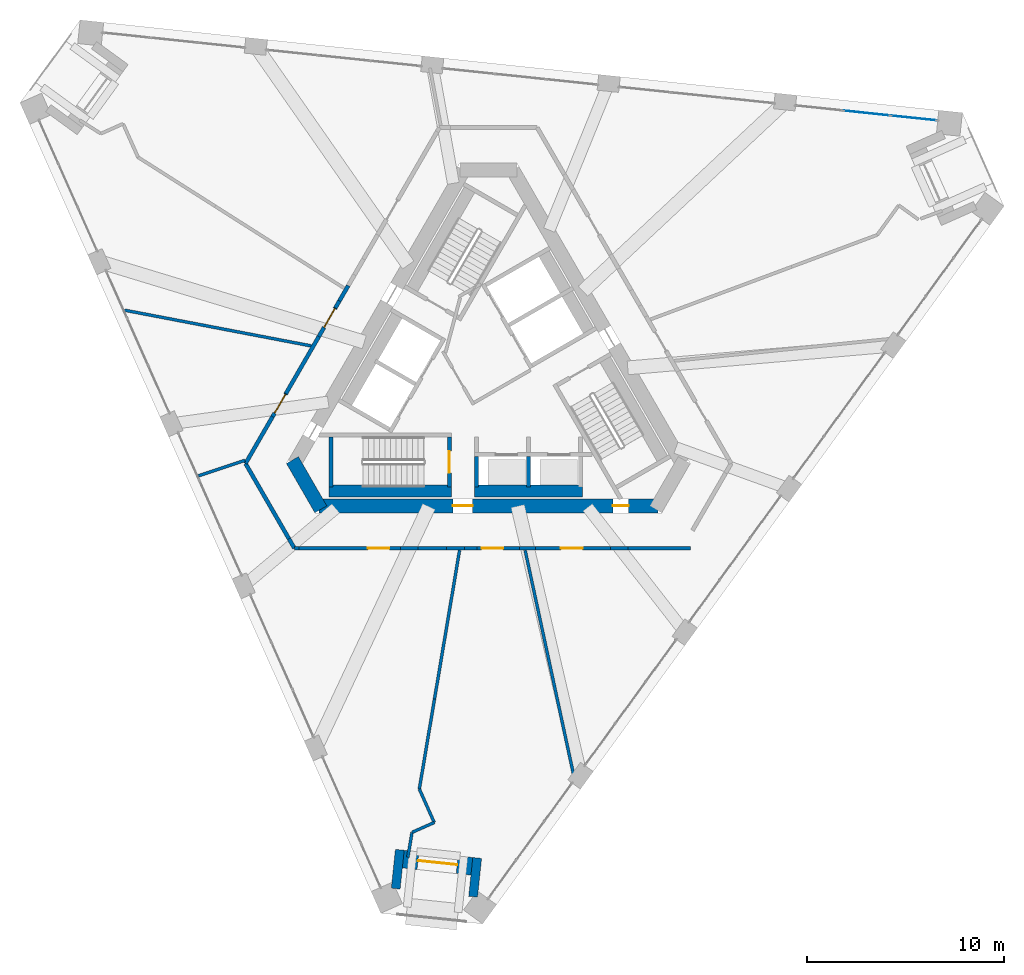
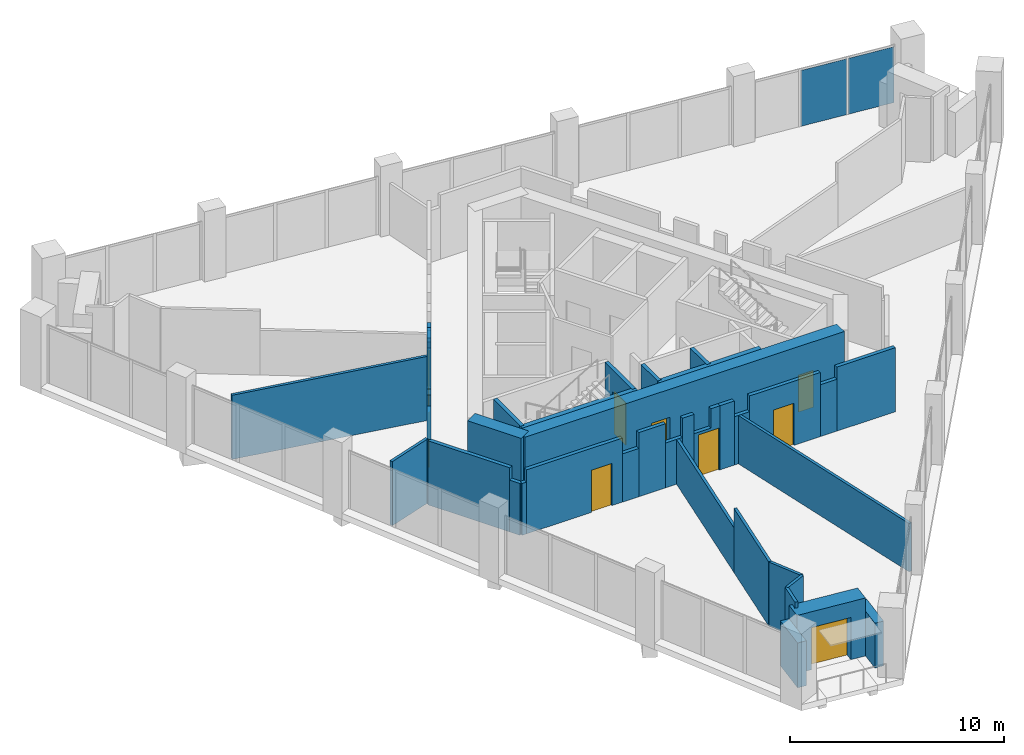
# One storey, part 8 of 15: 39 walls, 9 doors, 2 plates, 9 openings, 1 element without a shape of its own.
"""IFC4 building model written with IfcOpenShell, lengths in metres."""

from ifc_helpers import new_model, si_unit, direction, frame, frame_2d, origin, origin_2d, place, context, subcontext, project, spatial, polyline, rectangle, outline, extrude, material, layer, layer_set, type_object, element, fill, aggregate, save


model = new_model("IFC4")

# Units and contexts
model_context = context("Model", 3, precision=1e-05, world=origin(), true_north=direction((0.0, 1.0)))
body_context = subcontext(model_context, "Body", "Model", "MODEL_VIEW")
ifc_project = project(units=[si_unit("LENGTHUNIT", "METRE"), si_unit("AREAUNIT", "SQUARE_METRE"), si_unit("VOLUMEUNIT", "CUBIC_METRE"), si_unit("PLANEANGLEUNIT", "RADIAN"), si_unit("MASSUNIT", "GRAM", prefix="KILO")], contexts=[model_context])

# Site, building, storey
site_placement = place(None, origin())
site = spatial("IfcSite", under=ifc_project, at=site_placement, CompositionType="ELEMENT")
building_placement = place(site_placement, origin())
building = spatial("IfcBuilding", under=site, at=building_placement, Name="Tramontana Tower", CompositionType="ELEMENT")
storey_placement = place(building_placement, frame((0.0, 0.0, 237.199951171875)))
storey = spatial("IfcBuildingStorey", under=building, at=storey_placement, Name="L55", CompositionType="ELEMENT", Elevation=237.199951171875)

# Curtain wall, plates
ifc_material_1 = material(Name="Aluminum extrusion", Category="aluminium")
ifc_layer_1 = layer(ifc_material_1, 0.14990234375)
ifc_layer_set_1 = layer_set([ifc_layer_1], Name="CW4 Sky lobby 2 curtain wall")
curtain_wall_type = type_object("IfcCurtainWallType", Name="CW4 Sky lobby 2 curtain wall", PredefinedType="NOTDEFINED", material=ifc_layer_set_1)
curtain_wall_placement = place(storey_placement, origin())
curtain_wall = element("IfcCurtainWall", 1, at=curtain_wall_placement, inside=storey, type_object=curtain_wall_type, Name="CW4 curtain wall L55 face 2 bay 1", PredefinedType="NOTDEFINED")
ifc_material_2 = material(Name="Low-iron double glazing unit", Category="glass")
ifc_layer_2 = layer(ifc_material_2, 0.030029296875)
ifc_layer_set_2 = layer_set([ifc_layer_2], Name="CW4-P Glazing panel 30")
plate_type = type_object("IfcPlateType", Name="CW4-P Glazing panel 30", PredefinedType="CURTAIN_PANEL", material=ifc_layer_set_2)
plate_1_placement = place(storey_placement, frame((21.599609375, 13.2900390625, 0.0), z_axis=(0.0, 0.0, 1.0), x_axis=(-0.994521895368, 0.104528463268, 0.0)))
plate_1 = element("IfcPlate", 2, at=plate_1_placement, type_object=plate_type, Name="CW4 curtain wall L55 face 2 bay 1 panel 1.1", PredefinedType="CURTAIN_PANEL", context=body_context, shape_type="SweptSolid", body=[
    extrude(rectangle(XDim=2.328857421875, YDim=0.030029296875, at=origin_2d()), origin(), (0.0, 0.0, 1.0), 3.179931640625),
])
plate_2_placement = place(storey_placement, frame((19.208984375, 13.541259765625, 0.0), z_axis=(0.0, 0.0, 1.0), x_axis=(-0.994521895368, 0.104528463268, 0.0)))
plate_2 = element("IfcPlate", 3, at=plate_2_placement, type_object=plate_type, Name="CW4 curtain wall L55 face 2 bay 1 panel 2.1", PredefinedType="CURTAIN_PANEL", context=body_context, shape_type="SweptSolid", body=[
    extrude(rectangle(XDim=2.35888671875, YDim=0.030029296875, at=origin_2d()), origin(), (0.0, 0.0, 1.0), 3.179931640625),
])
aggregate(curtain_wall, [plate_1, plate_2])

# Wall
ifc_material_3 = material(Name="Concrete 70 MPa", Category="concrete")
ifc_layer_3 = layer(ifc_material_3, 0.699951171875)
ifc_layer_set_3 = layer_set([ifc_layer_3], Name="Core wall 700 70 MPa")
wall_type_1 = type_object("IfcWallType", Name="Core wall 700 70 MPa", PredefinedType="SHEAR", material=ifc_layer_set_3)
wall_1_placement = place(storey_placement, frame((-9.94482421875, -4.074951171875, 0.0), z_axis=(0.0, 0.0, 1.0), x_axis=(0.499995765644, -0.866027848477, 0.0)))
element("IfcWall", 4, at=wall_1_placement, inside=storey, type_object=wall_type_1, Name="Core wall C2 L55", PredefinedType="SHEAR", context=body_context, shape_type="SweptSolid", body=[
    extrude(rectangle(XDim=2.88671875, YDim=0.699951171875, at=frame_2d((1.443359375, 0.0))), origin(), (0.0, 0.0, 1.0), 4.0),
])

# Wall, openings, doors
wall_2_placement = place(storey_placement, frame((-8.6025390625, -6.39990234375, 0.0), z_axis=(0.0, 0.0, 1.0), x_axis=(1.0, 0.0, 0.0)))
wall_2 = element("IfcWall", 5, at=wall_2_placement, inside=storey, type_object=wall_type_1, Name="Core wall C3 L55", PredefinedType="SHEAR", context=body_context, shape_type="SweptSolid", body=[
    extrude(rectangle(XDim=17.205078125, YDim=0.699951171875, at=frame_2d((8.6025390625, 0.0))), origin(), (0.0, 0.0, 1.0), 4.0),
])
opening_1_placement = place(wall_2_placement, frame((6.8076171875, 0.0, 0.0)))
opening_1 = element("IfcOpeningElement", 6, at=opening_1_placement, cuts=wall_2, Name="Opening RG2", PredefinedType="OPENING", context=body_context, shape_type="SweptSolid", body=[
    extrude(rectangle(XDim=1.0, YDim=2.39990234375, at=frame_2d((0.5, 1.199951171875))), frame((0.0, 0.35986328125, 0.0), z_axis=(0.0, -1.0, 0.0), x_axis=(1.0, 0.0, 0.0)), (0.0, 0.0, 1.0), 0.719970703125),
])
opening_2_placement = place(wall_2_placement, frame((14.921630859375, 0.0, 0.0)))
opening_2 = element("IfcOpeningElement", 7, at=opening_2_placement, cuts=wall_2, Name="Opening PD2", PredefinedType="OPENING", context=body_context, shape_type="SweptSolid", body=[
    extrude(rectangle(XDim=0.800048828125, YDim=2.10009765625, at=frame_2d((0.39990234375, 1.050048828125))), frame((0.0, 0.35986328125, 0.0), z_axis=(0.0, -1.0, 0.0), x_axis=(1.0, 0.0, 0.0)), (0.0, 0.0, 1.0), 0.719970703125),
])
ifc_material_4 = material(Name="Painted steel", Category="steel")
door_type_1 = type_object("IfcDoorType", Name="CUPBOARD DOOR 800", OperationType="SINGLE_SWING_LEFT", PredefinedType="DOOR", material=ifc_material_4)
door_1_placement = place(opening_2_placement, origin())
door_1 = element("IfcDoor", 8, at=door_1_placement, inside=storey, type_object=door_type_1, Name="Door PD2", OperationType="SINGLE_SWING_RIGHT", OverallHeight=2.10009765625, OverallWidth=0.800048828125, PredefinedType="DOOR", context=body_context, shape_type="SweptSolid", body=[
    extrude(rectangle(XDim=0.800048828125, YDim=2.10009765625, at=frame_2d((0.39990234375, 1.050048828125))), frame((0.0, 0.02490234375, 0.0), z_axis=(0.0, -1.0, 0.0), x_axis=(1.0, 0.0, 0.0)), (0.0, 0.0, 1.0), 0.050048828125),
])
fill(opening_2, door_1)
ifc_material_5 = material(Name="Painted steel", Category="steel")
door_type_2 = type_object("IfcDoorType", Name="RING DOOR 1000", OperationType="SINGLE_SWING_LEFT", PredefinedType="DOOR", material=ifc_material_5)
door_2_placement = place(opening_1_placement, origin())
door_2 = element("IfcDoor", 9, at=door_2_placement, inside=storey, type_object=door_type_2, Name="Door RG2", OperationType="SINGLE_SWING_LEFT", OverallHeight=2.39990234375, OverallWidth=1.0, PredefinedType="DOOR", context=body_context, shape_type="SweptSolid", body=[
    extrude(rectangle(XDim=1.0, YDim=2.39990234375, at=frame_2d((0.5, 1.199951171875))), frame((0.0, 0.02490234375, 0.0), z_axis=(0.0, -1.0, 0.0), x_axis=(1.0, 0.0, 0.0)), (0.0, 0.0, 1.0), 0.050048828125),
])
fill(opening_1, door_2)

# Walls
ifc_material_6 = material(Name="Blockwork", Category="masonry")
ifc_layer_4 = layer(ifc_material_6, 0.199951171875)
ifc_layer_set_4 = layer_set([ifc_layer_4], Name="ENTRY WALL 200")
wall_type_2 = type_object("IfcWallType", Name="ENTRY WALL 200", PredefinedType="SOLIDWALL", material=ifc_layer_set_4)
wall_3_placement = place(storey_placement, frame((10.251708984375, -8.550048828125, 0.0), z_axis=(0.0, 0.0, 1.0), x_axis=(-1.0, 0.0, 0.0)))
element("IfcWall", 10, at=wall_3_placement, inside=storey, type_object=wall_type_2, Name="Wall ew1-0", PredefinedType="SOLIDWALL", context=body_context, shape_type="SweptSolid", body=[
    extrude(rectangle(XDim=3.152587890625, YDim=0.199951171875, at=frame_2d((1.576171875, 0.0))), origin(), (0.0, 0.0, 1.0), 3.650146484375),
])
wall_4_placement = place(storey_placement, frame((7.09912109375, -8.550048828125, 0.0), z_axis=(0.0, 0.0, 1.0), x_axis=(-1.0, 0.0, 0.0)))
element("IfcWall", 11, at=wall_4_placement, inside=storey, type_object=wall_type_2, Name="Wall ew1-1", PredefinedType="SOLIDWALL", context=body_context, shape_type="SweptSolid", body=[
    extrude(rectangle(XDim=0.88720703125, YDim=0.199951171875, at=frame_2d((0.443603515625, 0.0))), origin(), (0.0, 0.0, 1.0), 2.949951171875),
])

# Wall, opening, door
wall_5_placement = place(storey_placement, frame((6.2119140625, -8.550048828125, 0.0), z_axis=(0.0, 0.0, 1.0), x_axis=(-1.0, 0.0, 0.0)))
wall_5 = element("IfcWall", 12, at=wall_5_placement, inside=storey, type_object=wall_type_2, Name="Wall ew1-2", PredefinedType="SOLIDWALL", context=body_context, shape_type="SweptSolid", body=[
    extrude(rectangle(XDim=3.810546875, YDim=0.199951171875, at=frame_2d((1.9052734375, 0.0))), origin(), (0.0, 0.0, 1.0), 3.650146484375),
])
opening_3_placement = place(wall_5_placement, frame((1.422607421875, 0.0, 0.0)))
opening_3 = element("IfcOpeningElement", 13, at=opening_3_placement, cuts=wall_5, Name="Opening L55-07", PredefinedType="OPENING", context=body_context, shape_type="SweptSolid", body=[
    extrude(rectangle(XDim=1.10009765625, YDim=2.39990234375, at=frame_2d((0.550048828125, 1.199951171875))), frame((0.0, 0.10986328125, 0.0), z_axis=(0.0, -1.0, 0.0), x_axis=(1.0, 0.0, 0.0)), (0.0, 0.0, 1.0), 0.219970703125),
])
ifc_material_7 = material(Name="Painted timber", Category="wood")
door_type_3 = type_object("IfcDoorType", Name="DOOR ENTRY 1100", OperationType="SINGLE_SWING_LEFT", PredefinedType="DOOR", material=ifc_material_7)
door_3_placement = place(opening_3_placement, origin())
door_3 = element("IfcDoor", 14, at=door_3_placement, inside=storey, type_object=door_type_3, Name="Door L55-07", OperationType="SINGLE_SWING_LEFT", OverallHeight=2.39990234375, OverallWidth=1.10009765625, PredefinedType="DOOR", context=body_context, shape_type="SweptSolid", body=[
    extrude(rectangle(XDim=1.10009765625, YDim=2.39990234375, at=frame_2d((0.550048828125, 1.199951171875))), frame((0.0, 0.02490234375, 0.0), z_axis=(0.0, -1.0, 0.0), x_axis=(1.0, 0.0, 0.0)), (0.0, 0.0, 1.0), 0.050048828125),
])
fill(opening_3, door_3)

# Walls
wall_6_placement = place(storey_placement, frame((2.4013671875, -8.550048828125, 0.0), z_axis=(0.0, 0.0, 1.0), x_axis=(-1.0, 0.0, 0.0)))
element("IfcWall", 15, at=wall_6_placement, inside=storey, type_object=wall_type_2, Name="Wall ew1-3", PredefinedType="SOLIDWALL", context=body_context, shape_type="SweptSolid", body=[
    extrude(rectangle(XDim=0.8212890625, YDim=0.199951171875, at=frame_2d((0.41064453125, 0.0))), origin(), (0.0, 0.0, 1.0), 2.75),
])
wall_7_placement = place(storey_placement, frame((1.580078125, -8.550048828125, 0.0), z_axis=(0.0, 0.0, 1.0), x_axis=(-1.0, 0.0, 0.0)))
element("IfcWall", 16, at=wall_7_placement, inside=storey, type_object=wall_type_2, Name="Wall ew1-4", PredefinedType="SOLIDWALL", context=body_context, shape_type="SweptSolid", body=[
    extrude(rectangle(XDim=0.775634765625, YDim=0.199951171875, at=frame_2d((0.3876953125, 0.0))), origin(), (0.0, 0.0, 1.0), 3.650146484375),
])

# Wall, opening, door
wall_8_placement = place(storey_placement, frame((0.804443359375, -8.550048828125, 0.0), z_axis=(0.0, 0.0, 1.0), x_axis=(-1.0, 0.0, 0.0)))
wall_8 = element("IfcWall", 17, at=wall_8_placement, inside=storey, type_object=wall_type_2, Name="Wall ew1-5", PredefinedType="SOLIDWALL", context=body_context, shape_type="SweptSolid", body=[
    extrude(outline(polyline([(0.0, 0.0), (1.3896484375, 0.0), (1.3896484375, 2.550048828125), (0.48974609375, 2.550048828125), (0.48974609375, 3.650146484375), (0.0, 3.650146484375), (0.0, 0.0)])), frame((0.0, 0.10009765625, 0.0), z_axis=(0.0, -1.0, 0.0), x_axis=(1.0, 0.0, 0.0)), (0.0, 0.0, 1.0), 0.199951171875),
])
opening_4_placement = place(wall_8_placement, frame((0.050048828125, 0.0, 0.0)))
opening_4 = element("IfcOpeningElement", 18, at=opening_4_placement, cuts=wall_8, Name="Opening L55-06", PredefinedType="OPENING", context=body_context, shape_type="SweptSolid", body=[
    extrude(rectangle(XDim=1.10009765625, YDim=2.39990234375, at=frame_2d((0.550048828125, 1.199951171875))), frame((0.0, 0.10986328125, 0.0), z_axis=(0.0, -1.0, 0.0), x_axis=(1.0, 0.0, 0.0)), (0.0, 0.0, 1.0), 0.219970703125),
])
door_4_placement = place(opening_4_placement, origin())
door_4 = element("IfcDoor", 19, at=door_4_placement, inside=storey, type_object=door_type_3, Name="Door L55-06", OperationType="SINGLE_SWING_RIGHT", OverallHeight=2.39990234375, OverallWidth=1.10009765625, PredefinedType="DOOR", context=body_context, shape_type="SweptSolid", body=[
    extrude(rectangle(XDim=1.10009765625, YDim=2.39990234375, at=frame_2d((0.550048828125, 1.199951171875))), frame((0.0, 0.02490234375, 0.0), z_axis=(0.0, -1.0, 0.0), x_axis=(1.0, 0.0, 0.0)), (0.0, 0.0, 1.0), 0.050048828125),
])
fill(opening_4, door_4)

# Walls
wall_9_placement = place(storey_placement, frame((-0.585205078125, -8.550048828125, 0.0), z_axis=(0.0, 0.0, 1.0), x_axis=(-1.0, 0.0, 0.0)))
element("IfcWall", 20, at=wall_9_placement, inside=storey, type_object=wall_type_2, Name="Wall ew1-6", PredefinedType="SOLIDWALL", context=body_context, shape_type="SweptSolid", body=[
    extrude(rectangle(XDim=0.6328125, YDim=0.199951171875, at=frame_2d((0.31640625, 0.0))), origin(), (0.0, 0.0, 1.0), 3.650146484375),
])
wall_10_placement = place(storey_placement, frame((-1.218017578125, -8.550048828125, 0.0), z_axis=(0.0, 0.0, 1.0), x_axis=(-1.0, 0.0, 0.0)))
element("IfcWall", 21, at=wall_10_placement, inside=storey, type_object=wall_type_2, Name="Wall ew1-7", PredefinedType="SOLIDWALL", context=body_context, shape_type="SweptSolid", body=[
    extrude(rectangle(XDim=0.9169921875, YDim=0.199951171875, at=frame_2d((0.45849609375, 0.0))), origin(), (0.0, 0.0, 1.0), 2.550048828125),
])
wall_11_placement = place(storey_placement, frame((-2.135009765625, -8.550048828125, 0.0), z_axis=(0.0, 0.0, 1.0), x_axis=(-1.0, 0.0, 0.0)))
element("IfcWall", 22, at=wall_11_placement, inside=storey, type_object=wall_type_2, Name="Wall ew1-8", PredefinedType="SOLIDWALL", context=body_context, shape_type="SweptSolid", body=[
    extrude(rectangle(XDim=1.4296875, YDim=0.199951171875, at=frame_2d((0.71484375, 0.0))), origin(), (0.0, 0.0, 1.0), 3.650146484375),
])
wall_12_placement = place(storey_placement, frame((-3.564697265625, -8.550048828125, 0.0), z_axis=(0.0, 0.0, 1.0), x_axis=(-1.0, 0.0, 0.0)))
element("IfcWall", 23, at=wall_12_placement, inside=storey, type_object=wall_type_2, Name="Wall ew1-9", PredefinedType="SOLIDWALL", context=body_context, shape_type="SweptSolid", body=[
    extrude(rectangle(XDim=0.88330078125, YDim=0.199951171875, at=frame_2d((0.441650390625, 0.0))), origin(), (0.0, 0.0, 1.0), 2.75),
])

# Wall, opening, door
wall_13_placement = place(storey_placement, frame((-4.447998046875, -8.550048828125, 0.0), z_axis=(0.0, 0.0, 1.0), x_axis=(-1.0, 0.0, 0.0)))
wall_13 = element("IfcWall", 24, at=wall_13_placement, inside=storey, type_object=wall_type_2, Name="Wall ew1-10", PredefinedType="SOLIDWALL", context=body_context, shape_type="SweptSolid", body=[
    extrude(rectangle(XDim=5.161376953125, YDim=0.199951171875, at=frame_2d((2.58056640625, 0.0))), origin(), (0.0, 0.0, 1.0), 3.650146484375),
])
opening_5_placement = place(wall_13_placement, frame((0.572265625, 0.0, 0.0)))
opening_5 = element("IfcOpeningElement", 25, at=opening_5_placement, cuts=wall_13, Name="Opening L55-05", PredefinedType="OPENING", context=body_context, shape_type="SweptSolid", body=[
    extrude(rectangle(XDim=1.10009765625, YDim=2.39990234375, at=frame_2d((0.550048828125, 1.199951171875))), frame((0.0, 0.10986328125, 0.0), z_axis=(0.0, -1.0, 0.0), x_axis=(1.0, 0.0, 0.0)), (0.0, 0.0, 1.0), 0.219970703125),
])
door_5_placement = place(opening_5_placement, origin())
door_5 = element("IfcDoor", 26, at=door_5_placement, inside=storey, type_object=door_type_3, Name="Door L55-05", OperationType="SINGLE_SWING_LEFT", OverallHeight=2.39990234375, OverallWidth=1.10009765625, PredefinedType="DOOR", context=body_context, shape_type="SweptSolid", body=[
    extrude(rectangle(XDim=1.10009765625, YDim=2.39990234375, at=frame_2d((0.550048828125, 1.199951171875))), frame((0.0, 0.02490234375, 0.0), z_axis=(0.0, -1.0, 0.0), x_axis=(1.0, 0.0, 0.0)), (0.0, 0.0, 1.0), 0.050048828125),
])
fill(opening_5, door_5)

# Walls
wall_14_placement = place(storey_placement, frame((-9.609375, -8.550048828125, 0.0), z_axis=(0.0, 0.0, 1.0), x_axis=(-1.0, 0.0, 0.0)))
element("IfcWall", 27, at=wall_14_placement, inside=storey, type_object=wall_type_2, Name="Wall ew1-11", PredefinedType="SOLIDWALL", context=body_context, shape_type="SweptSolid", body=[
    extrude(rectangle(XDim=0.234375, YDim=0.199951171875, at=frame_2d((0.1171875, 0.0))), origin(), (0.0, 0.0, 1.0), 2.949951171875),
])
wall_15_placement = place(storey_placement, frame((-9.84375, -8.550048828125, 0.0), z_axis=(0.0, 0.0, 1.0), x_axis=(-0.500000383388, 0.866025182435, 0.0)))
element("IfcWall", 28, at=wall_15_placement, inside=storey, type_object=wall_type_2, Name="Wall ew2-0", PredefinedType="SOLIDWALL", context=body_context, shape_type="SweptSolid", body=[
    extrude(rectangle(XDim=0.5576171875, YDim=0.199951171875, at=frame_2d((0.27880859375, 0.0))), origin(), (0.0, 0.0, 1.0), 2.949951171875),
])
wall_16_placement = place(storey_placement, frame((-10.12255859375, -8.067138671875, 0.0), z_axis=(0.0, 0.0, 1.0), x_axis=(-0.500005339912, 0.866022320763, 0.0)))
element("IfcWall", 29, at=wall_16_placement, inside=storey, type_object=wall_type_2, Name="Wall ew2-1", PredefinedType="SOLIDWALL", context=body_context, shape_type="SweptSolid", body=[
    extrude(rectangle(XDim=4.40771484375, YDim=0.199951171875, at=frame_2d((2.203857421875, 0.0))), origin(), (0.0, 0.0, 1.0), 3.650146484375),
])
wall_17_placement = place(storey_placement, frame((-12.326416015625, -4.25, 0.0), z_axis=(0.0, 0.0, 1.0), x_axis=(0.499994514761, 0.866028570666, 0.0)))
element("IfcWall", 30, at=wall_17_placement, inside=storey, type_object=wall_type_2, Name="Wall ew3-0", PredefinedType="SOLIDWALL", context=body_context, shape_type="SweptSolid", body=[
    extrude(rectangle(XDim=2.74462890625, YDim=0.199951171875, at=frame_2d((1.372314453125, 0.0))), origin(), (0.0, 0.0, 1.0), 3.650146484375),
])

# Wall, opening, door
wall_18_placement = place(storey_placement, frame((-10.9541015625, -1.873046875, 0.0), z_axis=(0.0, 0.0, 1.0), x_axis=(0.500034408226, 0.866005537274, 0.0)))
wall_18 = element("IfcWall", 31, at=wall_18_placement, inside=storey, type_object=wall_type_2, Name="Wall ew3-1", PredefinedType="SOLIDWALL", context=body_context, shape_type="SweptSolid", body=[
    extrude(outline(polyline([(0.0, 0.0), (1.35498046875, 0.0), (1.354736328125, 3.650146484375), (0.886962890625, 3.650146484375), (0.886962890625, 2.949951171875), (0.0, 2.949951171875), (0.0, 0.0)])), frame((0.0, 0.10009765625, 0.0), z_axis=(0.0, -1.0, 0.0), x_axis=(1.0, 0.0, 0.0)), (0.0, 0.0, 1.0), 0.199951171875),
])
opening_6_placement = place(wall_18_placement, frame((0.20458984375, 0.0, 0.0)))
opening_6 = element("IfcOpeningElement", 32, at=opening_6_placement, cuts=wall_18, Name="Opening L55-04", PredefinedType="OPENING", context=body_context, shape_type="SweptSolid", body=[
    extrude(rectangle(XDim=1.10009765625, YDim=2.39990234375, at=frame_2d((0.550048828125, 1.199951171875))), frame((0.0, 0.10986328125, 0.0), z_axis=(0.0, -1.0, 0.0), x_axis=(1.0, 0.0, 0.0)), (0.0, 0.0, 1.0), 0.219970703125),
])
door_6_placement = place(opening_6_placement, origin())
door_6 = element("IfcDoor", 33, at=door_6_placement, inside=storey, type_object=door_type_3, Name="Door L55-04", OperationType="SINGLE_SWING_RIGHT", OverallHeight=2.39990234375, OverallWidth=1.10009765625, PredefinedType="DOOR", context=body_context, shape_type="SweptSolid", body=[
    extrude(rectangle(XDim=1.10009765625, YDim=2.39990234375, at=frame_2d((0.550048828125, 1.199951171875))), frame((0.0, 0.02490234375, 0.0), z_axis=(0.0, -1.0, 0.0), x_axis=(1.0, 0.0, 0.0)), (0.0, 0.0, 1.0), 0.050048828125),
])
fill(opening_6, door_6)

# Wall
wall_19_placement = place(storey_placement, frame((-10.276611328125, -0.69970703125, 0.0), z_axis=(0.0, 0.0, 1.0), x_axis=(0.499987977232, 0.866032345022, 0.0)))
element("IfcWall", 34, at=wall_19_placement, inside=storey, type_object=wall_type_2, Name="Wall ew3-2", PredefinedType="SOLIDWALL", context=body_context, shape_type="SweptSolid", body=[
    extrude(rectangle(XDim=3.3427734375, YDim=0.199951171875, at=frame_2d((1.67138671875, 0.0))), origin(), (0.0, 0.0, 1.0), 3.650146484375),
])

# Wall, opening, door
wall_20_placement = place(storey_placement, frame((-8.605224609375, 2.1953125, 0.0), z_axis=(0.0, 0.0, 1.0), x_axis=(0.499948642682, 0.866055052915, 0.0)))
wall_20 = element("IfcWall", 35, at=wall_20_placement, inside=storey, type_object=wall_type_2, Name="Wall ew3-3", PredefinedType="SOLIDWALL", context=body_context, shape_type="SweptSolid", body=[
    extrude(outline(polyline([(0.0, 0.0), (1.681884765625, 0.0), (1.681640625, 3.650146484375), (0.8212890625, 3.650146484375), (0.8212890625, 2.75), (0.0, 2.75), (0.0, 0.0)])), frame((0.0, 0.10009765625, 0.0), z_axis=(0.0, -1.0, 0.0), x_axis=(1.0, 0.0, 0.0)), (0.0, 0.0, 1.0), 0.199951171875),
])
opening_7_placement = place(wall_20_placement, frame((0.53173828125, 0.0, 0.0)))
opening_7 = element("IfcOpeningElement", 36, at=opening_7_placement, cuts=wall_20, Name="Opening L55-03", PredefinedType="OPENING", context=body_context, shape_type="SweptSolid", body=[
    extrude(rectangle(XDim=1.10009765625, YDim=2.39990234375, at=frame_2d((0.550048828125, 1.199951171875))), frame((0.0, 0.10986328125, 0.0), z_axis=(0.0, -1.0, 0.0), x_axis=(1.0, 0.0, 0.0)), (0.0, 0.0, 1.0), 0.219970703125),
])
door_7_placement = place(opening_7_placement, origin())
door_7 = element("IfcDoor", 37, at=door_7_placement, inside=storey, type_object=door_type_3, Name="Door L55-03", OperationType="SINGLE_SWING_LEFT", OverallHeight=2.39990234375, OverallWidth=1.10009765625, PredefinedType="DOOR", context=body_context, shape_type="SweptSolid", body=[
    extrude(rectangle(XDim=1.10009765625, YDim=2.39990234375, at=frame_2d((0.550048828125, 1.199951171875))), frame((0.0, 0.02490234375, 0.0), z_axis=(0.0, -1.0, 0.0), x_axis=(1.0, 0.0, 0.0)), (0.0, 0.0, 1.0), 0.050048828125),
])
fill(opening_7, door_7)

# Walls
wall_21_placement = place(storey_placement, frame((-7.764404296875, 3.65185546875, 0.0), z_axis=(0.0, 0.0, 1.0), x_axis=(0.500227331437, 0.865894114129, 0.0)))
element("IfcWall", 38, at=wall_21_placement, inside=storey, type_object=wall_type_2, Name="Wall ew3-4", PredefinedType="SOLIDWALL", context=body_context, shape_type="SweptSolid", body=[
    extrude(rectangle(XDim=0.404541015625, YDim=0.199951171875, at=frame_2d((0.2021484375, 0.0))), origin(), (0.0, 0.0, 1.0), 3.650146484375),
])
wall_22_placement = place(storey_placement, frame((-7.56201171875, 4.002197265625, 0.0), z_axis=(0.0, 0.0, 1.0), x_axis=(0.500105887137, 0.865964261186, 0.0)))
element("IfcWall", 39, at=wall_22_placement, inside=storey, type_object=wall_type_2, Name="Wall ew3-5", PredefinedType="SOLIDWALL", context=body_context, shape_type="SweptSolid", body=[
    extrude(rectangle(XDim=0.900146484375, YDim=0.199951171875, at=frame_2d((0.4501953125, 0.0))), origin(), (0.0, 0.0, 1.0), 2.550048828125),
])
ifc_material_8 = material(Name="Precast concrete 60 MPa", Category="concrete")
ifc_layer_5 = layer(ifc_material_8, 0.449951171875)
ifc_layer_set_5 = layer_set([ifc_layer_5], Name="Precast concrete 60 MPa, 450 mm")
wall_type_3 = type_object("IfcWallType", Name="EW1 Stone-faced precast wall 450", PredefinedType="SOLIDWALL", material=ifc_layer_set_5)
for number, where, z_axis, x_axis, name in (
    (40, (-0.772216796875, -26.2421875, 0.0), (0.0, 0.0, 1.0), (0.104485716945, 0.994526387259, 0.0), "Corner loggia side wall L55 K61l"),
    (41, (-4.70068359375, -25.829345703125, 0.0), (0.0, 0.0, 1.0), (0.104607727594, 0.994513561158, 0.0), "Corner loggia side wall L55 K61r"),
):
    element("IfcWall", number, at=place(storey_placement, frame(where, z_axis=z_axis, x_axis=x_axis)), inside=storey, type_object=wall_type_3, Name=name, PredefinedType="SOLIDWALL", context=body_context, shape_type="SweptSolid", body=[
        extrude(rectangle(XDim=1.97900390625, YDim=0.449951171875, at=frame_2d((0.989501953125, 0.0))), origin(), (0.0, 0.0, 1.0), 2.550048828125),
    ])

# Wall, opening, door
ifc_material_9 = material(Name="Precast concrete 60 MPa", Category="concrete")
ifc_layer_6 = layer(ifc_material_9, 0.89990234375)
ifc_layer_set_6 = layer_set([ifc_layer_6], Name="EW2 Stone-faced corner loggia wall 900")
wall_type_4 = type_object("IfcWallType", Name="EW2 Stone-faced corner loggia wall 900", PredefinedType="SOLIDWALL", material=ifc_layer_set_6)
wall_23_placement = place(storey_placement, frame((-0.836181640625, -24.697998046875, 0.0), z_axis=(0.0, 0.0, 1.0), x_axis=(-0.994518821828, 0.104557701916, 0.0)))
wall_23 = element("IfcWall", 42, at=wall_23_placement, inside=storey, type_object=wall_type_4, Name="Corner loggia wall L55 K61", PredefinedType="SOLIDWALL", context=body_context, shape_type="SweptSolid", body=[
    extrude(rectangle(XDim=3.500244140625, YDim=0.89990234375, at=frame_2d((1.75, 0.0))), origin(), (0.0, 0.0, 1.0), 3.300048828125),
])
opening_8_placement = place(wall_23_placement, frame((0.75, 0.0, 0.0)))
opening_8 = element("IfcOpeningElement", 43, at=opening_8_placement, cuts=wall_23, Name="Opening BD-61C", PredefinedType="OPENING", context=body_context, shape_type="SweptSolid", body=[
    extrude(rectangle(XDim=2.0, YDim=2.39990234375, at=frame_2d((1.0, 1.199951171875))), frame((0.0, 0.4599609375, 0.0), z_axis=(0.0, -1.0, 0.0), x_axis=(1.0, 0.0, 0.0)), (0.0, 0.0, 1.0), 0.919921875),
])
ifc_material_10 = material(Name="Aluminum frame, double glazing unit", Category="aluminium")
door_type_4 = type_object("IfcDoorType", Name="BC1 Sliding door 2 x 2.4", OperationType="SLIDING_TO_LEFT", PredefinedType="DOOR", material=ifc_material_10)
door_8_placement = place(opening_8_placement, origin())
door_8 = element("IfcDoor", 44, at=door_8_placement, inside=storey, type_object=door_type_4, Name="Corner loggia door L55 K61", OperationType="SLIDING_TO_LEFT", OverallHeight=2.39990234375, OverallWidth=2.0, PredefinedType="DOOR", context=body_context, shape_type="SweptSolid", body=[
    extrude(rectangle(XDim=2.0, YDim=2.39990234375, at=frame_2d((1.0, 1.199951171875))), frame((0.0, 0.02490234375, 0.0), z_axis=(0.0, -1.0, 0.0), x_axis=(1.0, 0.0, 0.0)), (0.0, 0.0, 1.0), 0.050048828125),
])
fill(opening_8, door_8)

# Walls
ifc_material_11 = material(Name="Gypsum board partition")
ifc_layer_7 = layer(ifc_material_11, 0.14990234375)
ifc_layer_set_7 = layer_set([ifc_layer_7], Name="PARTITION 150")
wall_type_5 = type_object("IfcWallType", Name="PARTITION 150", PredefinedType="PARTITIONING", material=ifc_layer_set_7)
wall_24_placement = place(storey_placement, frame((-12.349365234375, -4.089599609375, 0.0), z_axis=(0.0, 0.0, 1.0), x_axis=(-0.949316867491, -0.314320672398, 0.0)))
element("IfcWall", 45, at=wall_24_placement, inside=storey, type_object=wall_type_5, Name="Wall fw-pw03", PredefinedType="PARTITIONING", context=body_context, shape_type="SweptSolid", body=[
    extrude(rectangle(XDim=2.4970703125, YDim=0.14990234375, at=frame_2d((1.24853515625, 0.0))), origin(), (0.0, 0.0, 1.0), 3.650146484375),
])
wall_25_placement = place(storey_placement, frame((-8.994384765625, 1.72119140625, 0.0), z_axis=(0.0, 0.0, 1.0), x_axis=(-0.982177280281, 0.187956883618, 0.0)))
element("IfcWall", 46, at=wall_25_placement, inside=storey, type_object=wall_type_5, Name="Wall fw-pw04", PredefinedType="PARTITIONING", context=body_context, shape_type="SweptSolid", body=[
    extrude(rectangle(XDim=9.640625, YDim=0.14990234375, at=frame_2d((4.8203125, 0.0))), origin(), (0.0, 0.0, 1.0), 3.650146484375),
])
wall_26_placement = place(storey_placement, frame((-3.873291015625, -22.977294921875, 0.0), z_axis=(0.0, 0.0, 1.0), x_axis=(-0.166260221615, -0.986081912778, 0.0)))
element("IfcWall", 47, at=wall_26_placement, inside=storey, type_object=wall_type_5, Name="Wall fw-pw06", PredefinedType="PARTITIONING", context=body_context, shape_type="SweptSolid", body=[
    extrude(rectangle(XDim=1.276123046875, YDim=0.14990234375, at=frame_2d((0.63818359375, 0.0))), origin(), (0.0, 0.0, 1.0), 3.650146484375),
])
wall_27_placement = place(storey_placement, frame((-3.502197265625, -20.77685546875, 0.0), z_axis=(0.0, 0.0, 1.0), x_axis=(0.40677227382, -0.913529592981, 0.0)))
element("IfcWall", 48, at=wall_27_placement, inside=storey, type_object=wall_type_5, Name="Wall fw-pw07", PredefinedType="PARTITIONING", context=body_context, shape_type="SweptSolid", body=[
    extrude(rectangle(XDim=1.858154296875, YDim=0.14990234375, at=frame_2d((0.92919921875, 0.0))), origin(), (0.0, 0.0, 1.0), 3.650146484375),
])
wall_28_placement = place(storey_placement, frame((-2.746337890625, -22.474365234375, 0.0), z_axis=(0.0, 0.0, 1.0), x_axis=(-0.913500903341, -0.406836698929, 0.0)))
element("IfcWall", 49, at=wall_28_placement, inside=storey, type_object=wall_type_5, Name="Wall fw-pw08", PredefinedType="PARTITIONING", context=body_context, shape_type="SweptSolid", body=[
    extrude(rectangle(XDim=1.232666015625, YDim=0.14990234375, at=frame_2d((0.6162109375, 0.0))), origin(), (0.0, 0.0, 1.0), 3.650146484375),
])
wall_29_placement = place(storey_placement, frame((-1.458251953125, -8.650146484375, 0.0), z_axis=(0.0, 0.0, 1.0), x_axis=(-0.166222927691, -0.986088200066, 0.0)))
element("IfcWall", 50, at=wall_29_placement, inside=storey, type_object=wall_type_5, Name="Wall fw-pw10-0", PredefinedType="PARTITIONING", context=body_context, shape_type="SweptSolid", body=[
    extrude(rectangle(XDim=7.6611328125, YDim=0.14990234375, at=frame_2d((3.83056640625, 0.0))), origin(), (0.0, 0.0, 1.0), 2.550048828125),
])
wall_30_placement = place(storey_placement, frame((-2.731689453125, -16.20458984375, 0.0), z_axis=(0.0, 0.0, 1.0), x_axis=(-0.166217863251, -0.986089053755, 0.0)))
element("IfcWall", 51, at=wall_30_placement, inside=storey, type_object=wall_type_5, Name="Wall fw-pw10-1", PredefinedType="PARTITIONING", context=body_context, shape_type="SweptSolid", body=[
    extrude(rectangle(XDim=4.635498046875, YDim=0.14990234375, at=frame_2d((2.31787109375, 0.0))), origin(), (0.0, 0.0, 1.0), 3.650146484375),
])
wall_31_placement = place(storey_placement, frame((1.8671875, -8.650146484375, 0.0), z_axis=(0.0, 0.0, 1.0), x_axis=(0.211008418271, -0.977484244077, 0.0)))
element("IfcWall", 52, at=wall_31_placement, inside=storey, type_object=wall_type_5, Name="Wall fw-pw11-0", PredefinedType="PARTITIONING", context=body_context, shape_type="SweptSolid", body=[
    extrude(rectangle(XDim=11.854736328125, YDim=0.14990234375, at=frame_2d((5.92724609375, 0.0))), origin(), (0.0, 0.0, 1.0), 2.75),
])
ifc_material_12 = material(Name="Concrete 70 MPa", Category="concrete")
ifc_layer_8 = layer(ifc_material_12, 0.60009765625)
ifc_layer_set_8 = layer_set([ifc_layer_8], Name="Concrete 70 MPa, 600 mm")
wall_type_6 = type_object("IfcWallType", Name="RC SHAFT BACK WALL 600", PredefinedType="SOLIDWALL", material=ifc_layer_set_8)
wall_32_placement = place(storey_placement, frame((-8.080078125, -5.64990234375, 0.0), z_axis=(0.0, 0.0, 1.0), x_axis=(1.0, 0.0, 0.0)))
element("IfcWall", 53, at=wall_32_placement, inside=storey, type_object=wall_type_6, Name="Wall st2-back", PredefinedType="SOLIDWALL", context=body_context, shape_type="SweptSolid", body=[
    extrude(rectangle(XDim=6.2001953125, YDim=0.60009765625, at=frame_2d((3.10009765625, 0.0))), origin(), (0.0, 0.0, 1.0), 3.650146484375),
])
wall_33_placement = place(storey_placement, frame((-0.7099609375, -5.64990234375, 0.0), z_axis=(0.0, 0.0, 1.0), x_axis=(1.0, 0.0, 0.0)))
element("IfcWall", 54, at=wall_33_placement, inside=storey, type_object=wall_type_6, Name="Wall row1-back", PredefinedType="SOLIDWALL", context=body_context, shape_type="SweptSolid", body=[
    extrude(rectangle(XDim=5.5, YDim=0.60009765625, at=frame_2d((2.75, 0.0))), origin(), (0.0, 0.0, 1.0), 3.650146484375),
])
ifc_material_13 = material(Name="Concrete 70 MPa", Category="concrete")
ifc_layer_9 = layer(ifc_material_13, 0.199951171875)
ifc_layer_set_9 = layer_set([ifc_layer_9], Name="Concrete 70 MPa, 200 mm")
wall_type_7 = type_object("IfcWallType", Name="RC STAIR AND SHAFT WALL 200", PredefinedType="SOLIDWALL", material=ifc_layer_set_9)
wall_34_placement = place(storey_placement, frame((-7.97998046875, -2.89990234375, 0.0), z_axis=(0.0, 0.0, 1.0), x_axis=(0.0, -1.0, 0.0)))
element("IfcWall", 55, at=wall_34_placement, inside=storey, type_object=wall_type_7, Name="Wall st2-far", PredefinedType="SOLIDWALL", context=body_context, shape_type="SweptSolid", body=[
    extrude(rectangle(XDim=2.550048828125, YDim=0.199951171875, at=frame_2d((1.27490234375, 0.0))), origin(), (0.0, 0.0, 1.0), 3.650146484375),
])

# Wall, opening, door
wall_35_placement = place(storey_placement, frame((-1.97998046875, -2.89990234375, 0.0), z_axis=(0.0, 0.0, 1.0), x_axis=(0.0, -1.0, 0.0)))
wall_35 = element("IfcWall", 56, at=wall_35_placement, inside=storey, type_object=wall_type_7, Name="Wall st2-near", PredefinedType="SOLIDWALL", context=body_context, shape_type="SweptSolid", body=[
    extrude(rectangle(XDim=2.550048828125, YDim=0.199951171875, at=frame_2d((1.27490234375, 0.0))), origin(), (0.0, 0.0, 1.0), 3.650146484375),
])
opening_9_placement = place(wall_35_placement, frame((0.72509765625, 0.0, 0.0)))
opening_9 = element("IfcOpeningElement", 57, at=opening_9_placement, cuts=wall_35, Name="Opening SD2", PredefinedType="OPENING", context=body_context, shape_type="SweptSolid", body=[
    extrude(rectangle(XDim=1.10009765625, YDim=2.39990234375, at=frame_2d((0.550048828125, 1.199951171875))), frame((0.0, 0.10986328125, 0.0), z_axis=(0.0, -1.0, 0.0), x_axis=(1.0, 0.0, 0.0)), (0.0, 0.0, 1.0), 0.219970703125),
])
ifc_material_14 = material(Name="Painted steel", Category="steel")
door_type_5 = type_object("IfcDoorType", Name="STAIR DOOR 1100", OperationType="SINGLE_SWING_LEFT", PredefinedType="DOOR", material=ifc_material_14)
door_9_placement = place(opening_9_placement, origin())
door_9 = element("IfcDoor", 58, at=door_9_placement, inside=storey, type_object=door_type_5, Name="Door SD2", OperationType="SINGLE_SWING_LEFT", OverallHeight=2.39990234375, OverallWidth=1.10009765625, PredefinedType="DOOR", context=body_context, shape_type="SweptSolid", body=[
    extrude(rectangle(XDim=1.10009765625, YDim=2.39990234375, at=frame_2d((0.550048828125, 1.199951171875))), frame((0.0, 0.02490234375, 0.0), z_axis=(0.0, -1.0, 0.0), x_axis=(1.0, 0.0, 0.0)), (0.0, 0.0, 1.0), 0.050048828125),
])
fill(opening_9, door_9)

# Walls
for number, where, z_axis, x_axis, name in (
    (59, (-0.610107421875, -3.89990234375, 0.0), (0.0, 0.0, 1.0), (0.0, -1.0, 0.0), "Wall row1-side0"),
    (60, (2.0400390625, -3.89990234375, 0.0), (0.0, 0.0, 1.0), (0.0, -1.0, 0.0), "Wall row1-side1"),
):
    element("IfcWall", number, at=place(storey_placement, frame(where, z_axis=z_axis, x_axis=x_axis)), inside=storey, type_object=wall_type_7, Name=name, PredefinedType="SOLIDWALL", context=body_context, shape_type="SweptSolid", body=[
        extrude(rectangle(XDim=1.550048828125, YDim=0.199951171875, at=frame_2d((0.77490234375, 0.0))), origin(), (0.0, 0.0, 1.0), 3.650146484375),
    ])

save(model, "model.ifc")
